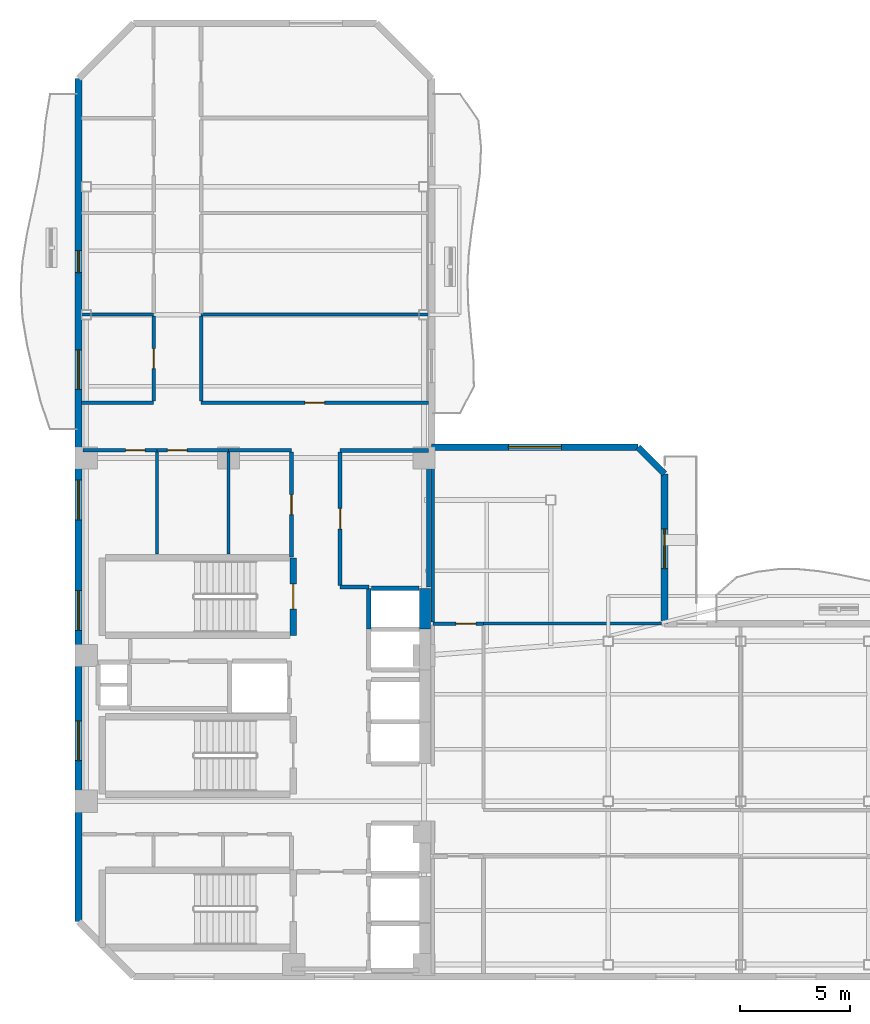
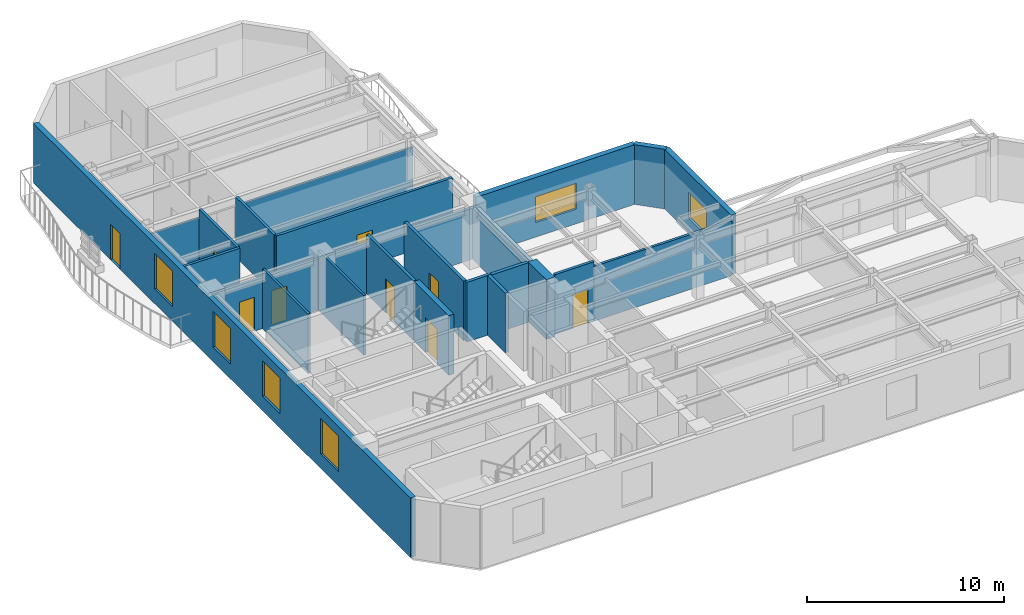
# One storey, part 4 of 8: 27 walls, 9 doors, 6 windows, 15 openings.
"""IFC4 building model written with IfcOpenShell, lengths in metres."""

from ifc_helpers import new_model, si_unit, direction, frame, frame_2d, origin, place, context, subcontext, project, spatial, rectangle, extrude, material, layer, layer_set, type_object, element, fill, save


model = new_model("IFC4")

# Units and contexts
model_context = context("Model", 3, precision=1e-05, world=origin(), true_north=direction((0.0, 1.0)))
body_context = subcontext(model_context, "Body", "Model", "MODEL_VIEW")
ifc_project = project(units=[si_unit("LENGTHUNIT", "METRE"), si_unit("AREAUNIT", "SQUARE_METRE"), si_unit("VOLUMEUNIT", "CUBIC_METRE"), si_unit("PLANEANGLEUNIT", "RADIAN"), si_unit("MASSUNIT", "GRAM", prefix="KILO")], contexts=[model_context])

# Site, building, storey
site_placement = place(None, origin())
site = spatial("IfcSite", under=ifc_project, at=site_placement, CompositionType="ELEMENT")
building_placement = place(site_placement, origin())
building = spatial("IfcBuilding", under=site, at=building_placement, Name="Mawjaban Terraces University", CompositionType="ELEMENT")
storey_placement = place(building_placement, frame((0.0, 0.0, 187.5)))
storey = spatial("IfcBuildingStorey", under=building, at=storey_placement, Name="L45", CompositionType="ELEMENT", Elevation=187.5)

# Walls
ifc_material_1 = material(Name="Acoustic masonry blockwork", Category="masonry")
ifc_layer_1 = layer(ifc_material_1, 0.179931640625)
ifc_layer_set_1 = layer_set([ifc_layer_1], Name="Acoustic masonry blockwork")
wall_type_1 = type_object("IfcWallType", Name="AcousticStudioWall_180", PredefinedType="PARTITIONING", material=ifc_layer_set_1)
wall_1_placement = place(storey_placement, frame((33.85009765625, 17.64990234375, 0.0), z_axis=(0.0, 0.0, 1.0), x_axis=(1.0, 0.0, 0.0)))
element("IfcWall", 1, at=wall_1_placement, inside=storey, type_object=wall_type_1, Name="L45 Graduate Research Collaboration Studio Partition 14", PredefinedType="PARTITIONING", context=body_context, shape_type="SweptSolid", body=[
    extrude(rectangle(XDim=1.2998046875, YDim=0.179931640625, at=frame_2d((0.64990234375, 0.0))), origin(), (0.0, 0.0, 1.0), 3.68994140625),
])
wall_2_placement = place(storey_placement, frame((37.85009765625, 23.85009765625, 0.0), z_axis=(0.0, 0.0, 1.0), x_axis=(-1.0, 0.0, 0.0)))
element("IfcWall", 2, at=wall_2_placement, inside=storey, type_object=wall_type_1, Name="L45 Graduate Research Collaboration Studio Partition 16", PredefinedType="PARTITIONING", context=body_context, shape_type="SweptSolid", body=[
    extrude(rectangle(XDim=4.0, YDim=0.179931640625, at=frame_2d((2.0, 0.0))), origin(), (0.0, 0.0, 1.0), 3.14599609375),
])

# Wall, opening, door
wall_3_placement = place(storey_placement, frame((33.85009765625, 17.735107421875, 0.0), z_axis=(0.0, 0.0, 1.0), x_axis=(0.0, 1.0, 0.0)))
wall_3 = element("IfcWall", 3, at=wall_3_placement, inside=storey, type_object=wall_type_1, Name="L45 Core North Lift Lobby Partition 43", PredefinedType="PARTITIONING", context=body_context, shape_type="SweptSolid", body=[
    extrude(rectangle(XDim=6.02978515625, YDim=0.179931640625, at=frame_2d((3.014892578125, 0.0))), origin(), (0.0, 0.0, 1.0), 3.68994140625),
])
opening_1_placement = place(wall_3_placement, frame((2.5400390625, 0.0, 0.0)))
opening_1 = element("IfcOpeningElement", 4, at=opening_1_placement, cuts=wall_3, Name="Opening ID-095", PredefinedType="OPENING", context=body_context, shape_type="SweptSolid", body=[
    extrude(rectangle(XDim=0.949951171875, YDim=2.10009765625, at=frame_2d((0.47509765625, 1.050048828125))), frame((0.0, 0.099853515625, 0.0), z_axis=(0.0, -1.0, 0.0), x_axis=(1.0, 0.0, 0.0)), (0.0, 0.0, 1.0), 0.199951171875),
])
ifc_material_2 = material(Name="Powder-coated steel frame and solid acoustic timber leaf", Category="steel")
door_type_1 = type_object("IfcDoorType", Name="StudioDoor_950x2100", OperationType="NOTDEFINED", PredefinedType="DOOR", material=ifc_material_2)
door_1_placement = place(opening_1_placement, origin())
door_1 = element("IfcDoor", 5, at=door_1_placement, inside=storey, type_object=door_type_1, Name="L45 Graduate Research Collaboration Studio Door", OperationType="SINGLE_SWING_RIGHT", OverallHeight=2.10009765625, OverallWidth=0.949951171875, PredefinedType="DOOR", context=body_context, shape_type="SweptSolid", body=[
    extrude(rectangle(XDim=0.949951171875, YDim=2.10009765625, at=frame_2d((0.47509765625, 1.050048828125))), frame((0.0, 0.02490234375, 0.0), z_axis=(0.0, -1.0, 0.0), x_axis=(1.0, 0.0, 0.0)), (0.0, 0.0, 1.0), 0.050048828125),
])
fill(opening_1, door_1)

# Walls
wall_4_placement = place(storey_placement, frame((37.85009765625, 17.64990234375, 0.0), z_axis=(0.0, 0.0, 1.0), x_axis=(0.0, 1.0, 0.0)))
element("IfcWall", 6, at=wall_4_placement, inside=storey, type_object=wall_type_1, Name="L45 Graduate Research Collaboration Studio Partition 44", PredefinedType="PARTITIONING", context=body_context, shape_type="SweptSolid", body=[
    extrude(rectangle(XDim=6.114990234375, YDim=0.179931640625, at=frame_2d((3.0576171875, 0.0))), origin(), (0.0, 0.0, 1.0), 3.14599609375),
])
wall_5_placement = place(storey_placement, frame((38.050048828125, 23.843017578125, 0.0), z_axis=(0.0, 0.0, 1.0), x_axis=(0.0, -1.0, 0.0)))
element("IfcWall", 7, at=wall_5_placement, inside=storey, type_object=wall_type_1, Name="L45 Terrace Collaborative Study Room Partition 48", PredefinedType="PARTITIONING", context=body_context, shape_type="SweptSolid", body=[
    extrude(rectangle(XDim=7.76806640625, YDim=0.179931640625, at=frame_2d((3.884033203125, 0.0))), origin(), (0.0, 0.0, 1.0), 3.14599609375),
])
ifc_material_3 = material(Name="Concrete C60/75", Category="concrete")
ifc_layer_2 = layer(ifc_material_3, 0.5)
ifc_layer_set_2 = layer_set([ifc_layer_2], Name="Concrete C60/75")
wall_type_2 = type_object("IfcWallType", Name="CoreShearWall_500", PredefinedType="SHEAR", material=ifc_layer_set_2)
wall_6_placement = place(storey_placement, frame((37.699951171875, 15.75, 0.0), z_axis=(0.0, 0.0, 1.0), x_axis=(0.0, 1.0, 0.0)))
element("IfcWall", 8, at=wall_6_placement, inside=storey, type_object=wall_type_2, Name="L45 Lift OL-2 Hoistway Wall East", PredefinedType="SHEAR", context=body_context, shape_type="SweptSolid", body=[
    extrude(rectangle(XDim=1.85009765625, YDim=0.5, at=frame_2d((0.925048828125, 0.0))), origin(), (0.0, 0.0, 1.0), 3.68994140625),
])
ifc_material_4 = material(Name="Fire-rated gypsum board on steel stud", Category="steel")
ifc_layer_3 = layer(ifc_material_4, 0.159912109375)
ifc_layer_set_3 = layer_set([ifc_layer_3], Name="Fire-rated gypsum board on steel stud")
wall_type_3 = type_object("IfcWallType", Name="CorridorPartition_160", PredefinedType="PARTITIONING", material=ifc_layer_set_3)
wall_7_placement = place(storey_placement, frame((25.39990234375, 26.0, 0.0), z_axis=(0.0, 0.0, 1.0), x_axis=(-1.0, 0.0, 0.0)))
element("IfcWall", 9, at=wall_7_placement, inside=storey, type_object=wall_type_3, Name="L45 North Core Cross-Corridor Partition 5", PredefinedType="PARTITIONING", context=body_context, shape_type="SweptSolid", body=[
    extrude(rectangle(XDim=3.2548828125, YDim=0.159912109375, at=frame_2d((1.62744140625, 0.0))), origin(), (0.0, 0.0, 1.0), 3.68994140625),
])

# Wall, opening, door
wall_8_placement = place(storey_placement, frame((25.550048828125, 23.85009765625, 0.0), z_axis=(0.0, 0.0, 1.0), x_axis=(-1.0, 0.0, 0.0)))
wall_8 = element("IfcWall", 10, at=wall_8_placement, inside=storey, type_object=wall_type_3, Name="L45 Ablution Room Partition 9", PredefinedType="PARTITIONING", context=body_context, shape_type="SweptSolid", body=[
    extrude(rectangle(XDim=3.35009765625, YDim=0.159912109375, at=frame_2d((1.675048828125, 0.0))), origin(), (0.0, 0.0, 1.0), 3.14599609375),
])
opening_2_placement = place(wall_8_placement, frame((0.534912109375, 0.0, 0.0)))
opening_2 = element("IfcOpeningElement", 11, at=opening_2_placement, cuts=wall_8, Name="Opening ID-088", PredefinedType="OPENING", context=body_context, shape_type="SweptSolid", body=[
    extrude(rectangle(XDim=0.8798828125, YDim=2.10009765625, at=frame_2d((0.43994140625, 1.050048828125))), frame((0.0, 0.08984375, 0.0), z_axis=(0.0, -1.0, 0.0), x_axis=(1.0, 0.0, 0.0)), (0.0, 0.0, 1.0), 0.179931640625),
])
door_type_2 = type_object("IfcDoorType", Name="ToiletDoor_880x2100", OperationType="NOTDEFINED", PredefinedType="DOOR", material=ifc_material_2)
door_2_placement = place(opening_2_placement, origin())
door_2 = element("IfcDoor", 12, at=door_2_placement, inside=storey, type_object=door_type_2, Name="L45 Ablution Room Door", OperationType="SINGLE_SWING_RIGHT", OverallHeight=2.10009765625, OverallWidth=0.8798828125, PredefinedType="DOOR", context=body_context, shape_type="SweptSolid", body=[
    extrude(rectangle(XDim=0.8798828125, YDim=2.10009765625, at=frame_2d((0.43994140625, 1.050048828125))), frame((0.0, 0.02490234375, 0.0), z_axis=(0.0, -1.0, 0.0), x_axis=(1.0, 0.0, 0.0)), (0.0, 0.0, 1.0), 0.050048828125),
])
fill(opening_2, door_2)

wall_9_placement = place(storey_placement, frame((28.800048828125, 23.85009765625, 0.0), z_axis=(0.0, 0.0, 1.0), x_axis=(-1.0, 0.0, 0.0)))
wall_9 = element("IfcWall", 13, at=wall_9_placement, inside=storey, type_object=wall_type_3, Name="L45 Cleaner Store Partition 11", PredefinedType="PARTITIONING", context=body_context, shape_type="SweptSolid", body=[
    extrude(rectangle(XDim=3.25, YDim=0.159912109375, at=frame_2d((1.625, 0.0))), origin(), (0.0, 0.0, 1.0), 3.14599609375),
])
opening_3_placement = place(wall_9_placement, frame((1.875, 0.0, 0.0)))
opening_3 = element("IfcOpeningElement", 14, at=opening_3_placement, cuts=wall_9, Name="Opening ID-090", PredefinedType="OPENING", context=body_context, shape_type="SweptSolid", body=[
    extrude(rectangle(XDim=0.89990234375, YDim=2.10009765625, at=frame_2d((0.449951171875, 1.050048828125))), frame((0.0, 0.08984375, 0.0), z_axis=(0.0, -1.0, 0.0), x_axis=(1.0, 0.0, 0.0)), (0.0, 0.0, 1.0), 0.179931640625),
])
door_type_3 = type_object("IfcDoorType", Name="OfficeDoor_900x2100", OperationType="NOTDEFINED", PredefinedType="DOOR", material=ifc_material_2)
door_3_placement = place(opening_3_placement, origin())
door_3 = element("IfcDoor", 15, at=door_3_placement, inside=storey, type_object=door_type_3, Name="L45 Cleaner Store Door", OperationType="SINGLE_SWING_LEFT", OverallHeight=2.10009765625, OverallWidth=0.89990234375, PredefinedType="DOOR", context=body_context, shape_type="SweptSolid", body=[
    extrude(rectangle(XDim=0.89990234375, YDim=2.10009765625, at=frame_2d((0.449951171875, 1.050048828125))), frame((0.0, 0.02490234375, 0.0), z_axis=(0.0, -1.0, 0.0), x_axis=(1.0, 0.0, 0.0)), (0.0, 0.0, 1.0), 0.050048828125),
])
fill(opening_3, door_3)

# Wall
wall_10_placement = place(storey_placement, frame((31.64990234375, 23.85009765625, 0.0), z_axis=(0.0, 0.0, 1.0), x_axis=(-1.0, 0.0, 0.0)))
element("IfcWall", 16, at=wall_10_placement, inside=storey, type_object=wall_type_3, Name="L45 Faculty Academic Resource Office Partition 13", PredefinedType="PARTITIONING", context=body_context, shape_type="SweptSolid", body=[
    extrude(rectangle(XDim=2.849853515625, YDim=0.159912109375, at=frame_2d((1.4248046875, 0.0))), origin(), (0.0, 0.0, 1.0), 3.14599609375),
])

# Wall, opening, door
wall_11_placement = place(storey_placement, frame((37.85009765625, 26.0, 0.0), z_axis=(0.0, 0.0, 1.0), x_axis=(-1.0, 0.0, 0.0)))
wall_11 = element("IfcWall", 17, at=wall_11_placement, inside=storey, type_object=wall_type_3, Name="L45 North Core Cross-Corridor Partition 17", PredefinedType="PARTITIONING", context=body_context, shape_type="SweptSolid", body=[
    extrude(rectangle(XDim=10.300048828125, YDim=0.159912109375, at=frame_2d((5.14990234375, 0.0))), origin(), (0.0, 0.0, 1.0), 3.68994140625),
])
opening_4_placement = place(wall_11_placement, frame((4.699951171875, 0.0, 0.0)))
opening_4 = element("IfcOpeningElement", 18, at=opening_4_placement, cuts=wall_11, Name="Opening ID-090", PredefinedType="OPENING", context=body_context, shape_type="SweptSolid", body=[
    extrude(rectangle(XDim=0.89990234375, YDim=2.10009765625, at=frame_2d((0.449951171875, 1.050048828125))), frame((0.0, 0.08984375, 0.0), z_axis=(0.0, -1.0, 0.0), x_axis=(1.0, 0.0, 0.0)), (0.0, 0.0, 1.0), 0.179931640625),
])
door_4_placement = place(opening_4_placement, origin())
door_4 = element("IfcDoor", 19, at=door_4_placement, inside=storey, type_object=door_type_3, Name="L45 Academic Workspace 7 Door", OperationType="SINGLE_SWING_RIGHT", OverallHeight=2.10009765625, OverallWidth=0.89990234375, PredefinedType="DOOR", context=body_context, shape_type="SweptSolid", body=[
    extrude(rectangle(XDim=0.89990234375, YDim=2.10009765625, at=frame_2d((0.449951171875, 1.050048828125))), frame((0.0, 0.02490234375, 0.0), z_axis=(0.0, -1.0, 0.0), x_axis=(1.0, 0.0, 0.0)), (0.0, 0.0, 1.0), 0.050048828125),
])
fill(opening_4, door_4)

wall_12_placement = place(storey_placement, frame((40.35009765625, 16.0, 0.0), z_axis=(0.0, 0.0, 1.0), x_axis=(-1.0, 0.0, 0.0)))
wall_12 = element("IfcWall", 20, at=wall_12_placement, inside=storey, type_object=wall_type_3, Name="L45 South Spine Spur Link Partition 23", PredefinedType="PARTITIONING", context=body_context, shape_type="SweptSolid", body=[
    extrude(rectangle(XDim=2.300048828125, YDim=0.159912109375, at=frame_2d((1.14990234375, 0.0))), origin(), (0.0, 0.0, 1.0), 3.68994140625),
])
opening_5_placement = place(wall_12_placement, frame((0.35009765625, 0.0, 0.0)))
opening_5 = element("IfcOpeningElement", 21, at=opening_5_placement, cuts=wall_12, Name="Opening ID-090", PredefinedType="OPENING", context=body_context, shape_type="SweptSolid", body=[
    extrude(rectangle(XDim=0.89990234375, YDim=2.10009765625, at=frame_2d((0.449951171875, 1.050048828125))), frame((0.0, 0.08984375, 0.0), z_axis=(0.0, -1.0, 0.0), x_axis=(1.0, 0.0, 0.0)), (0.0, 0.0, 1.0), 0.179931640625),
])
door_5_placement = place(opening_5_placement, origin())
door_5 = element("IfcDoor", 22, at=door_5_placement, inside=storey, type_object=door_type_3, Name="L45 Terrace Collaborative Study Room Door", OperationType="SINGLE_SWING_LEFT", OverallHeight=2.10009765625, OverallWidth=0.89990234375, PredefinedType="DOOR", context=body_context, shape_type="SweptSolid", body=[
    extrude(rectangle(XDim=0.89990234375, YDim=2.10009765625, at=frame_2d((0.449951171875, 1.050048828125))), frame((0.0, 0.02490234375, 0.0), z_axis=(0.0, -1.0, 0.0), x_axis=(1.0, 0.0, 0.0)), (0.0, 0.0, 1.0), 0.050048828125),
])
fill(opening_5, door_5)

wall_13_placement = place(storey_placement, frame((25.39990234375, 29.94189453125, 0.0), z_axis=(0.0, 0.0, 1.0), x_axis=(0.0, -1.0, 0.0)))
wall_13 = element("IfcWall", 23, at=wall_13_placement, inside=storey, type_object=wall_type_3, Name="L45 West Shifted Academic Corridor Partition 30", PredefinedType="PARTITIONING", context=body_context, shape_type="SweptSolid", body=[
    extrude(rectangle(XDim=3.866943359375, YDim=0.159912109375, at=frame_2d((1.93359375, 0.0))), origin(), (0.0, 0.0, 1.0), 3.68994140625),
])
opening_6_placement = place(wall_13_placement, frame((1.48388671875, 0.0, 0.0)))
opening_6 = element("IfcOpeningElement", 24, at=opening_6_placement, cuts=wall_13, Name="Opening ID-090", PredefinedType="OPENING", context=body_context, shape_type="SweptSolid", body=[
    extrude(rectangle(XDim=0.89990234375, YDim=2.10009765625, at=frame_2d((0.449951171875, 1.050048828125))), frame((0.0, 0.08984375, 0.0), z_axis=(0.0, -1.0, 0.0), x_axis=(1.0, 0.0, 0.0)), (0.0, 0.0, 1.0), 0.179931640625),
])
door_6_placement = place(opening_6_placement, origin())
door_6 = element("IfcDoor", 25, at=door_6_placement, inside=storey, type_object=door_type_3, Name="L45 Departmental Office 6 Door", OperationType="SINGLE_SWING_LEFT", OverallHeight=2.10009765625, OverallWidth=0.89990234375, PredefinedType="DOOR", context=body_context, shape_type="SweptSolid", body=[
    extrude(rectangle(XDim=0.89990234375, YDim=2.10009765625, at=frame_2d((0.449951171875, 1.050048828125))), frame((0.0, 0.02490234375, 0.0), z_axis=(0.0, -1.0, 0.0), x_axis=(1.0, 0.0, 0.0)), (0.0, 0.0, 1.0), 0.050048828125),
])
fill(opening_6, door_6)

# Wall
wall_14_placement = place(storey_placement, frame((27.550048828125, 26.074951171875, 0.0), z_axis=(0.0, 0.0, 1.0), x_axis=(0.0, 1.0, 0.0)))
element("IfcWall", 26, at=wall_14_placement, inside=storey, type_object=wall_type_3, Name="L45 West Shifted Academic Corridor Partition 35", PredefinedType="PARTITIONING", context=body_context, shape_type="SweptSolid", body=[
    extrude(rectangle(XDim=3.866943359375, YDim=0.159912109375, at=frame_2d((1.93359375, 0.0))), origin(), (0.0, 0.0, 1.0), 3.68994140625),
])

# Wall, opening, door
wall_15_placement = place(storey_placement, frame((31.64990234375, 19.010009765625, 0.0), z_axis=(0.0, 0.0, 1.0), x_axis=(0.0, 1.0, 0.0)))
wall_15 = element("IfcWall", 27, at=wall_15_placement, inside=storey, type_object=wall_type_3, Name="L45 Faculty Academic Resource Office Partition 42", PredefinedType="PARTITIONING", context=body_context, shape_type="SweptSolid", body=[
    extrude(rectangle(XDim=4.764892578125, YDim=0.159912109375, at=frame_2d((2.38232421875, 0.0))), origin(), (0.0, 0.0, 1.0), 3.68994140625),
])
opening_7_placement = place(wall_15_placement, frame((1.931884765625, 0.0, 0.0)))
opening_7 = element("IfcOpeningElement", 28, at=opening_7_placement, cuts=wall_15, Name="Opening ID-090", PredefinedType="OPENING", context=body_context, shape_type="SweptSolid", body=[
    extrude(rectangle(XDim=0.89990234375, YDim=2.10009765625, at=frame_2d((0.449951171875, 1.050048828125))), frame((0.0, 0.08984375, 0.0), z_axis=(0.0, -1.0, 0.0), x_axis=(1.0, 0.0, 0.0)), (0.0, 0.0, 1.0), 0.179931640625),
])
door_7_placement = place(opening_7_placement, origin())
door_7 = element("IfcDoor", 29, at=door_7_placement, inside=storey, type_object=door_type_3, Name="L45 Faculty Academic Resource Office Door", OperationType="SINGLE_SWING_LEFT", OverallHeight=2.10009765625, OverallWidth=0.89990234375, PredefinedType="DOOR", context=body_context, shape_type="SweptSolid", body=[
    extrude(rectangle(XDim=0.89990234375, YDim=2.10009765625, at=frame_2d((0.449951171875, 1.050048828125))), frame((0.0, 0.02490234375, 0.0), z_axis=(0.0, -1.0, 0.0), x_axis=(1.0, 0.0, 0.0)), (0.0, 0.0, 1.0), 0.050048828125),
])
fill(opening_7, door_7)

# Wall, opening, window
ifc_material_5 = material(Name="Insulated terracotta rainscreen on concrete backup C40/50", Category="masonry")
ifc_layer_4 = layer(ifc_material_5, 0.300048828125)
ifc_layer_set_4 = layer_set([ifc_layer_4], Name="Insulated terracotta rainscreen on concrete backup C40/50")
wall_type_4 = type_object("IfcWallType", Name="ExtTerracottaWall_300", PredefinedType="SOLIDWALL", material=ifc_layer_set_4)
wall_16_placement = place(storey_placement, frame((48.550048828125, 16.0, 0.0), z_axis=(0.0, 0.0, 1.0), x_axis=(0.0, 1.0, 0.0)))
wall_16 = element("IfcWall", 30, at=wall_16_placement, inside=storey, type_object=wall_type_4, Name="L45 Exterior Terracotta Wall 6", PredefinedType="SOLIDWALL", context=body_context, shape_type="SweptSolid", body=[
    extrude(rectangle(XDim=6.7880859375, YDim=0.300048828125, at=frame_2d((3.39404296875, 0.0))), origin(), (0.0, 0.0, 1.0), 3.68994140625),
])
opening_8_placement = place(wall_16_placement, frame((2.493896484375, 0.0, 0.89990234375)))
opening_8 = element("IfcOpeningElement", 31, at=opening_8_placement, cuts=wall_16, Name="Opening W-03", PredefinedType="OPENING", context=body_context, shape_type="SweptSolid", body=[
    extrude(rectangle(XDim=1.800048828125, YDim=1.60009765625, at=frame_2d((0.89990234375, 0.800048828125))), frame((0.0, 0.159912109375, 0.0), z_axis=(0.0, -1.0, 0.0), x_axis=(1.0, 0.0, 0.0)), (0.0, 0.0, 1.0), 0.320068359375),
])
ifc_material_6 = material(Name="Low-E solar-control double glazing in thermally broken aluminium frame", Category="aluminium")
window_type_1 = type_object("IfcWindowType", Name="Win_1800x1600", PartitioningType="SINGLE_PANEL", PredefinedType="WINDOW", material=ifc_material_6)
window_1_placement = place(opening_8_placement, origin())
window_1 = element("IfcWindow", 32, at=window_1_placement, inside=storey, type_object=window_type_1, Name="L45 Facade Window 6.1", OverallHeight=1.60009765625, OverallWidth=1.800048828125, PartitioningType="SINGLE_PANEL", PredefinedType="WINDOW", context=body_context, shape_type="SweptSolid", body=[
    extrude(rectangle(XDim=1.800048828125, YDim=1.60009765625, at=frame_2d((0.89990234375, 0.800048828125))), frame((0.0, 0.030029296875, 0.0), z_axis=(0.0, -1.0, 0.0), x_axis=(1.0, 0.0, 0.0)), (0.0, 0.0, 1.0), 0.06005859375),
])
fill(opening_8, window_1)

# Wall
wall_17_placement = place(storey_placement, frame((48.550048828125, 22.7880859375, 0.0), z_axis=(0.0, 0.0, 1.0), x_axis=(-0.707106781187, 0.707106781187, 0.0)))
element("IfcWall", 33, at=wall_17_placement, inside=storey, type_object=wall_type_4, Name="L45 Exterior Terracotta Wall 7", PredefinedType="SOLIDWALL", context=body_context, shape_type="SweptSolid", body=[
    extrude(rectangle(XDim=1.697021484375, YDim=0.300048828125, at=frame_2d((0.8486328125, 0.0))), origin(), (0.0, 0.0, 1.0), 3.68994140625),
])

# Wall, opening, window
wall_18_placement = place(storey_placement, frame((47.35009765625, 23.988037109375, 0.0), z_axis=(0.0, 0.0, 1.0), x_axis=(-1.0, 0.0, 0.0)))
wall_18 = element("IfcWall", 34, at=wall_18_placement, inside=storey, type_object=wall_type_4, Name="L45 Exterior Terracotta Wall 8", PredefinedType="SOLIDWALL", context=body_context, shape_type="SweptSolid", body=[
    extrude(rectangle(XDim=9.35009765625, YDim=0.300048828125, at=frame_2d((4.675048828125, 0.0))), origin(), (0.0, 0.0, 1.0), 3.68994140625),
])
opening_9_placement = place(wall_18_placement, frame((3.47509765625, 0.0, 0.89990234375)))
opening_9 = element("IfcOpeningElement", 35, at=opening_9_placement, cuts=wall_18, Name="Opening W-05", PredefinedType="OPENING", context=body_context, shape_type="SweptSolid", body=[
    extrude(rectangle(XDim=2.39990234375, YDim=1.60009765625, at=frame_2d((1.199951171875, 0.800048828125))), frame((0.0, 0.159912109375, 0.0), z_axis=(0.0, -1.0, 0.0), x_axis=(1.0, 0.0, 0.0)), (0.0, 0.0, 1.0), 0.320068359375),
])
window_type_2 = type_object("IfcWindowType", Name="Win_2400x1600", PartitioningType="SINGLE_PANEL", PredefinedType="WINDOW", material=ifc_material_6)
window_2_placement = place(opening_9_placement, origin())
window_2 = element("IfcWindow", 36, at=window_2_placement, inside=storey, type_object=window_type_2, Name="L45 Facade Window 8.1", OverallHeight=1.60009765625, OverallWidth=2.39990234375, PartitioningType="SINGLE_PANEL", PredefinedType="WINDOW", context=body_context, shape_type="SweptSolid", body=[
    extrude(rectangle(XDim=2.39990234375, YDim=1.60009765625, at=frame_2d((1.199951171875, 0.800048828125))), frame((0.0, 0.030029296875, 0.0), z_axis=(0.0, -1.0, 0.0), x_axis=(1.0, 0.0, 0.0)), (0.0, 0.0, 1.0), 0.06005859375),
])
fill(opening_9, window_2)

# Wall, openings, door, windows
wall_19_placement = place(storey_placement, frame((22.0, 40.699951171875, 0.0), z_axis=(0.0, 0.0, 1.0), x_axis=(0.0, -1.0, 0.0)))
wall_19 = element("IfcWall", 37, at=wall_19_placement, inside=storey, type_object=wall_type_4, Name="L45 Exterior Terracotta Wall 13", PredefinedType="SOLIDWALL", context=body_context, shape_type="SweptSolid", body=[
    extrude(rectangle(XDim=38.199951171875, YDim=0.300048828125, at=frame_2d((19.10009765625, 0.0))), origin(), (0.0, 0.0, 1.0), 3.68994140625),
])
opening_10_placement = place(wall_19_placement, frame((7.800048828125, 0.0, 0.0)))
opening_10 = element("IfcOpeningElement", 38, at=opening_10_placement, cuts=wall_19, Name="Opening BD-100", PredefinedType="OPENING", context=body_context, shape_type="SweptSolid", body=[
    extrude(rectangle(XDim=1.0, YDim=2.199951171875, at=frame_2d((0.5, 1.10009765625))), frame((0.0, 0.159912109375, 0.0), z_axis=(0.0, -1.0, 0.0), x_axis=(1.0, 0.0, 0.0)), (0.0, 0.0, 1.0), 0.320068359375),
])
opening_11_placement = place(wall_19_placement, frame((12.29296875, 0.0, 0.89990234375)))
opening_11 = element("IfcOpeningElement", 39, at=opening_11_placement, cuts=wall_19, Name="Opening W-10", PredefinedType="OPENING", context=body_context, shape_type="SweptSolid", body=[
    extrude(rectangle(XDim=1.800048828125, YDim=2.199951171875, at=frame_2d((0.89990234375, 1.10009765625))), frame((0.0, 0.159912109375, 0.0), z_axis=(0.0, -1.0, 0.0), x_axis=(1.0, 0.0, 0.0)), (0.0, 0.0, 1.0), 0.320068359375),
])
opening_12_placement = place(wall_19_placement, frame((18.199951171875, 0.0, 0.89990234375)))
opening_12 = element("IfcOpeningElement", 40, at=opening_12_placement, cuts=wall_19, Name="Opening W-10", PredefinedType="OPENING", context=body_context, shape_type="SweptSolid", body=[
    extrude(rectangle(XDim=1.800048828125, YDim=2.199951171875, at=frame_2d((0.89990234375, 1.10009765625))), frame((0.0, 0.159912109375, 0.0), z_axis=(0.0, -1.0, 0.0), x_axis=(1.0, 0.0, 0.0)), (0.0, 0.0, 1.0), 0.320068359375),
])
opening_13_placement = place(wall_19_placement, frame((23.20703125, 0.0, 0.89990234375)))
opening_13 = element("IfcOpeningElement", 41, at=opening_13_placement, cuts=wall_19, Name="Opening W-10", PredefinedType="OPENING", context=body_context, shape_type="SweptSolid", body=[
    extrude(rectangle(XDim=1.800048828125, YDim=2.199951171875, at=frame_2d((0.89990234375, 1.10009765625))), frame((0.0, 0.159912109375, 0.0), z_axis=(0.0, -1.0, 0.0), x_axis=(1.0, 0.0, 0.0)), (0.0, 0.0, 1.0), 0.320068359375),
])
opening_14_placement = place(wall_19_placement, frame((29.114013671875, 0.0, 0.89990234375)))
opening_14 = element("IfcOpeningElement", 42, at=opening_14_placement, cuts=wall_19, Name="Opening W-10", PredefinedType="OPENING", context=body_context, shape_type="SweptSolid", body=[
    extrude(rectangle(XDim=1.800048828125, YDim=2.199951171875, at=frame_2d((0.89990234375, 1.10009765625))), frame((0.0, 0.159912109375, 0.0), z_axis=(0.0, -1.0, 0.0), x_axis=(1.0, 0.0, 0.0)), (0.0, 0.0, 1.0), 0.320068359375),
])
ifc_material_7 = material(Name="Thermally broken anodised aluminium and laminated safety glass", Category="aluminium")
door_type_4 = type_object("IfcDoorType", Name="BalconyGlazedDoor_1000x2200", OperationType="NOTDEFINED", PredefinedType="DOOR", material=ifc_material_7)
door_8_placement = place(opening_10_placement, origin())
door_8 = element("IfcDoor", 43, at=door_8_placement, inside=storey, type_object=door_type_4, Name="L45 Balcony Access Door west", OperationType="SINGLE_SWING_RIGHT", OverallHeight=2.199951171875, OverallWidth=1.0, PredefinedType="DOOR", context=body_context, shape_type="SweptSolid", body=[
    extrude(rectangle(XDim=1.0, YDim=2.199951171875, at=frame_2d((0.5, 1.10009765625))), frame((0.0, 0.02490234375, 0.0), z_axis=(0.0, -1.0, 0.0), x_axis=(1.0, 0.0, 0.0)), (0.0, 0.0, 1.0), 0.050048828125),
])
fill(opening_10, door_8)
window_type_3 = type_object("IfcWindowType", Name="Win_1800x2200", PartitioningType="SINGLE_PANEL", PredefinedType="WINDOW", material=ifc_material_6)
window_3_placement = place(opening_11_placement, origin())
window_3 = element("IfcWindow", 44, at=window_3_placement, inside=storey, type_object=window_type_3, Name="L45 Facade Window 13.3", OverallHeight=2.199951171875, OverallWidth=1.800048828125, PartitioningType="SINGLE_PANEL", PredefinedType="WINDOW", context=body_context, shape_type="SweptSolid", body=[
    extrude(rectangle(XDim=1.800048828125, YDim=2.199951171875, at=frame_2d((0.89990234375, 1.10009765625))), frame((0.0, 0.030029296875, 0.0), z_axis=(0.0, -1.0, 0.0), x_axis=(1.0, 0.0, 0.0)), (0.0, 0.0, 1.0), 0.06005859375),
])
fill(opening_11, window_3)
window_4_placement = place(opening_12_placement, origin())
window_4 = element("IfcWindow", 45, at=window_4_placement, inside=storey, type_object=window_type_3, Name="L45 Facade Window 13.4", OverallHeight=2.199951171875, OverallWidth=1.800048828125, PartitioningType="SINGLE_PANEL", PredefinedType="WINDOW", context=body_context, shape_type="SweptSolid", body=[
    extrude(rectangle(XDim=1.800048828125, YDim=2.199951171875, at=frame_2d((0.89990234375, 1.10009765625))), frame((0.0, 0.030029296875, 0.0), z_axis=(0.0, -1.0, 0.0), x_axis=(1.0, 0.0, 0.0)), (0.0, 0.0, 1.0), 0.06005859375),
])
fill(opening_12, window_4)
window_5_placement = place(opening_13_placement, origin())
window_5 = element("IfcWindow", 46, at=window_5_placement, inside=storey, type_object=window_type_3, Name="L45 Facade Window 13.5", OverallHeight=2.199951171875, OverallWidth=1.800048828125, PartitioningType="SINGLE_PANEL", PredefinedType="WINDOW", context=body_context, shape_type="SweptSolid", body=[
    extrude(rectangle(XDim=1.800048828125, YDim=2.199951171875, at=frame_2d((0.89990234375, 1.10009765625))), frame((0.0, 0.030029296875, 0.0), z_axis=(0.0, -1.0, 0.0), x_axis=(1.0, 0.0, 0.0)), (0.0, 0.0, 1.0), 0.06005859375),
])
fill(opening_13, window_5)
window_6_placement = place(opening_14_placement, origin())
window_6 = element("IfcWindow", 47, at=window_6_placement, inside=storey, type_object=window_type_3, Name="L45 Facade Window 13.6", OverallHeight=2.199951171875, OverallWidth=1.800048828125, PartitioningType="SINGLE_PANEL", PredefinedType="WINDOW", context=body_context, shape_type="SweptSolid", body=[
    extrude(rectangle(XDim=1.800048828125, YDim=2.199951171875, at=frame_2d((0.89990234375, 1.10009765625))), frame((0.0, 0.030029296875, 0.0), z_axis=(0.0, -1.0, 0.0), x_axis=(1.0, 0.0, 0.0)), (0.0, 0.0, 1.0), 0.06005859375),
])
fill(opening_14, window_6)

# Walls
ifc_material_8 = material(Name="Concrete C40/50", Category="concrete")
ifc_layer_5 = layer(ifc_material_8, 0.199951171875)
ifc_layer_set_5 = layer_set([ifc_layer_5], Name="Concrete C40/50")
wall_type_5 = type_object("IfcWallType", Name="FireLobbyWall_200", PredefinedType="SOLIDWALL", material=ifc_layer_set_5)
wall_20_placement = place(storey_placement, frame((35.14990234375, 17.60009765625, 0.0), z_axis=(0.0, 0.0, 1.0), x_axis=(0.0, -1.0, 0.0)))
element("IfcWall", 48, at=wall_20_placement, inside=storey, type_object=wall_type_5, Name="L45 Lift OL-2 Hoistway Wall West", PredefinedType="SOLIDWALL", context=body_context, shape_type="SweptSolid", body=[
    extrude(rectangle(XDim=1.85009765625, YDim=0.199951171875, at=frame_2d((0.925048828125, 0.0))), origin(), (0.0, 0.0, 1.0), 3.68994140625),
])
wall_21_placement = place(storey_placement, frame((37.419921875, 17.60009765625, 0.0), z_axis=(0.0, 0.0, 1.0), x_axis=(-1.0, 0.0, 0.0)))
element("IfcWall", 49, at=wall_21_placement, inside=storey, type_object=wall_type_5, Name="L45 Lift OL-2 Hoistway Wall North", PredefinedType="SOLIDWALL", context=body_context, shape_type="SweptSolid", body=[
    extrude(rectangle(XDim=2.139892578125, YDim=0.199951171875, at=frame_2d((1.06982421875, 0.0))), origin(), (0.0, 0.0, 1.0), 3.68994140625),
])
ifc_material_9 = material(Name="Moisture-resistant gypsum board on steel stud", Category="steel")
ifc_layer_6 = layer(ifc_material_9, 0.14501953125)
ifc_layer_set_6 = layer_set([ifc_layer_6], Name="Moisture-resistant gypsum board on steel stud")
wall_type_6 = type_object("IfcWallType", Name="LabPartition_145", PredefinedType="PARTITIONING", material=ifc_layer_set_6)
wall_22_placement = place(storey_placement, frame((40.35009765625, 16.0, 0.0), z_axis=(0.0, 0.0, 1.0), x_axis=(1.0, 0.0, 0.0)))
element("IfcWall", 50, at=wall_22_placement, inside=storey, type_object=wall_type_6, Name="L45 Terrace Collaborative Study Room Partition 24", PredefinedType="PARTITIONING", context=body_context, shape_type="SweptSolid", body=[
    extrude(rectangle(XDim=8.054931640625, YDim=0.14501953125, at=frame_2d((4.02734375, 0.0))), origin(), (0.0, 0.0, 1.0), 3.389892578125),
])
ifc_material_10 = material(Name="Gypsum plasterboard on steel stud", Category="steel")
ifc_layer_7 = layer(ifc_material_10, 0.125)
ifc_layer_set_7 = layer_set([ifc_layer_7], Name="Gypsum plasterboard on steel stud")
wall_type_7 = type_object("IfcWallType", Name="OfficePartition_125", PredefinedType="PARTITIONING", material=ifc_layer_set_7)
wall_23_placement = place(storey_placement, frame((25.39990234375, 30.0, 0.0), z_axis=(0.0, 0.0, 1.0), x_axis=(-1.0, 0.0, 0.0)))
element("IfcWall", 51, at=wall_23_placement, inside=storey, type_object=wall_type_7, Name="L45 Departmental Office 6 Partition 6", PredefinedType="PARTITIONING", context=body_context, shape_type="SweptSolid", body=[
    extrude(rectangle(XDim=3.2548828125, YDim=0.125, at=frame_2d((1.62744140625, 0.0))), origin(), (0.0, 0.0, 1.0), 3.14599609375),
])
wall_24_placement = place(storey_placement, frame((37.85009765625, 30.0, 0.0), z_axis=(0.0, 0.0, 1.0), x_axis=(-1.0, 0.0, 0.0)))
element("IfcWall", 52, at=wall_24_placement, inside=storey, type_object=wall_type_7, Name="L45 Academic Workspace 7 Partition 18", PredefinedType="PARTITIONING", context=body_context, shape_type="SweptSolid", body=[
    extrude(rectangle(XDim=10.300048828125, YDim=0.125, at=frame_2d((5.14990234375, 0.0))), origin(), (0.0, 0.0, 1.0), 3.14599609375),
])
wall_25_placement = place(storey_placement, frame((28.800048828125, 23.77490234375, 0.0), z_axis=(0.0, 0.0, 1.0), x_axis=(0.0, -1.0, 0.0)))
element("IfcWall", 53, at=wall_25_placement, inside=storey, type_object=wall_type_7, Name="L45 Faculty Academic Resource Office Partition 40", PredefinedType="PARTITIONING", context=body_context, shape_type="SweptSolid", body=[
    extrude(rectangle(XDim=4.614990234375, YDim=0.125, at=frame_2d((2.3076171875, 0.0))), origin(), (0.0, 0.0, 1.0), 3.68994140625),
])

# Wall, opening, door
ifc_layer_8 = layer(ifc_material_3, 0.300048828125)
ifc_layer_set_8 = layer_set([ifc_layer_8], Name="Concrete C60/75")
wall_type_8 = type_object("IfcWallType", Name="StairShaftWall_300", PredefinedType="SHEAR", material=ifc_layer_set_8)
wall_26_placement = place(storey_placement, frame((31.72998046875, 15.469970703125, 0.0), z_axis=(0.0, 0.0, 1.0), x_axis=(0.0, 1.0, 0.0)))
wall_26 = element("IfcWall", 54, at=wall_26_placement, inside=storey, type_object=wall_type_8, Name="L45 ST-2 Stair Shaft Wall 4", PredefinedType="SHEAR", context=body_context, shape_type="SweptSolid", body=[
    extrude(rectangle(XDim=3.510009765625, YDim=0.300048828125, at=frame_2d((1.7548828125, 0.0))), origin(), (0.0, 0.0, 1.0), 3.68994140625),
])
opening_15_placement = place(wall_26_placement, frame((1.179931640625, 0.0, 0.0)))
opening_15 = element("IfcOpeningElement", 55, at=opening_15_placement, cuts=wall_26, Name="Opening FD-115", PredefinedType="OPENING", context=body_context, shape_type="SweptSolid", body=[
    extrude(rectangle(XDim=1.14990234375, YDim=2.14990234375, at=frame_2d((0.574951171875, 1.074951171875))), frame((0.0, 0.159912109375, 0.0), z_axis=(0.0, -1.0, 0.0), x_axis=(1.0, 0.0, 0.0)), (0.0, 0.0, 1.0), 0.320068359375),
])
ifc_material_11 = material(Name="Powder-coated steel frame and fire-rated steel-faced leaf", Category="steel")
door_type_5 = type_object("IfcDoorType", Name="FireStairDoor_1150x2150", OperationType="NOTDEFINED", PredefinedType="DOOR", material=ifc_material_11)
door_9_placement = place(opening_15_placement, origin())
door_9 = element("IfcDoor", 56, at=door_9_placement, inside=storey, type_object=door_type_5, Name="L45 ST-2 Pressurised Stair Fire Door", OperationType="SINGLE_SWING_LEFT", OverallHeight=2.14990234375, OverallWidth=1.14990234375, PredefinedType="DOOR", context=body_context, shape_type="SweptSolid", body=[
    extrude(rectangle(XDim=1.14990234375, YDim=2.14990234375, at=frame_2d((0.574951171875, 1.074951171875))), frame((0.0, 0.02490234375, 0.0), z_axis=(0.0, -1.0, 0.0), x_axis=(1.0, 0.0, 0.0)), (0.0, 0.0, 1.0), 0.050048828125),
])
fill(opening_15, door_9)

# Wall
ifc_material_12 = material(Name="Cement-board wet-room partition", Category="masonry")
ifc_layer_9 = layer(ifc_material_12, 0.135009765625)
ifc_layer_set_9 = layer_set([ifc_layer_9], Name="Cement-board wet-room partition")
wall_type_9 = type_object("IfcWallType", Name="WetRoomPartition_135", PredefinedType="PARTITIONING", material=ifc_layer_set_9)
wall_27_placement = place(storey_placement, frame((25.550048828125, 19.159912109375, 0.0), z_axis=(0.0, 0.0, 1.0), x_axis=(0.0, 1.0, 0.0)))
element("IfcWall", 57, at=wall_27_placement, inside=storey, type_object=wall_type_9, Name="L45 Ablution Room Partition 34", PredefinedType="PARTITIONING", context=body_context, shape_type="SweptSolid", body=[
    extrude(rectangle(XDim=4.614990234375, YDim=0.135009765625, at=frame_2d((2.3076171875, 0.0))), origin(), (0.0, 0.0, 1.0), 3.68994140625),
])

save(model, "model.ifc")
